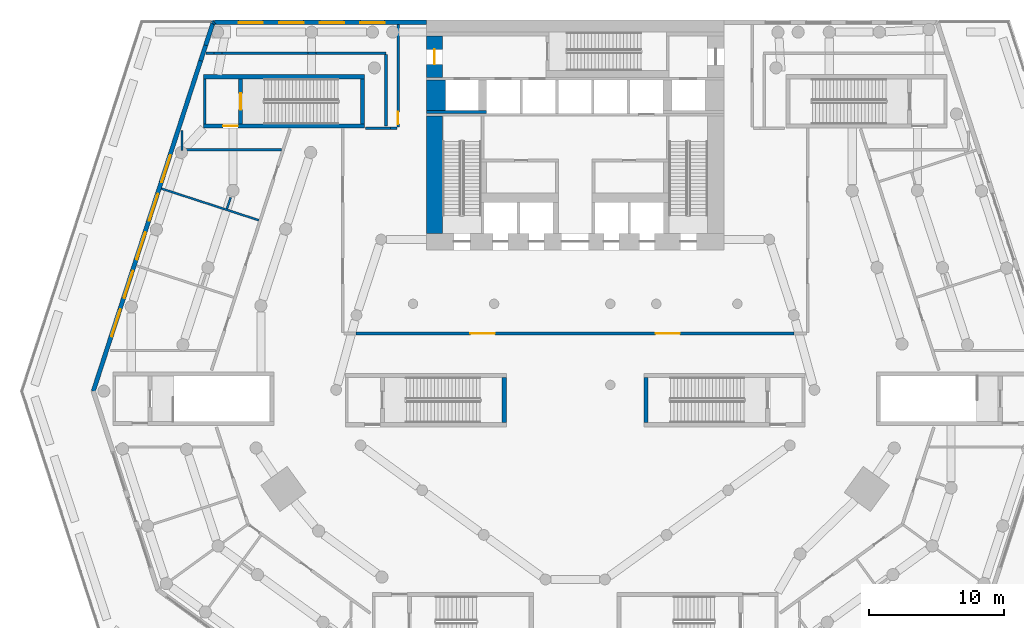
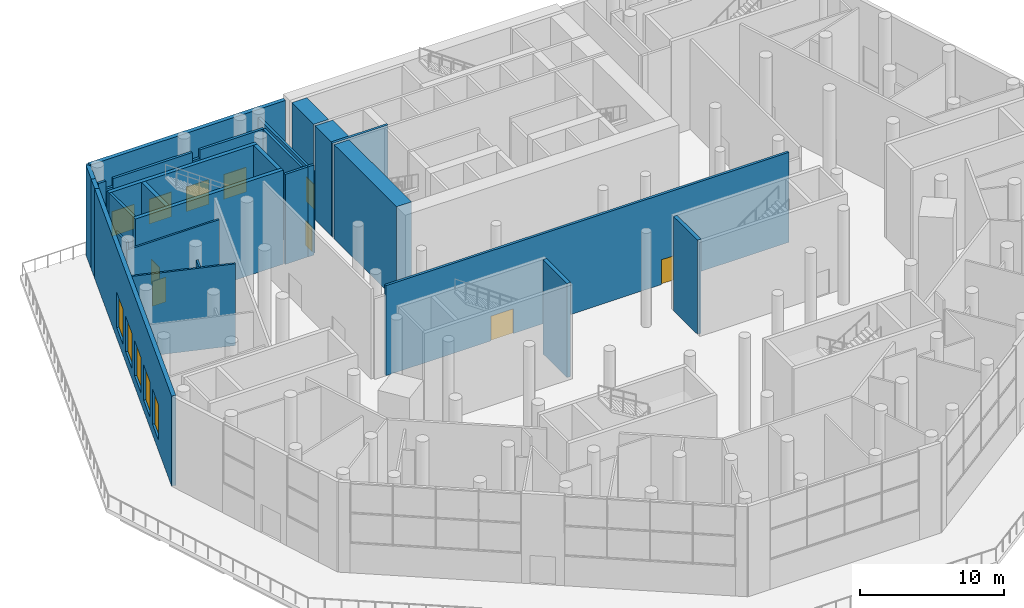
# One storey, part 13 of 23: 30 walls, 9 windows, 6 doors, 15 openings.
"""IFC4 building model written with IfcOpenShell, lengths in metres."""

from ifc_helpers import new_model, si_unit, direction, frame, frame_2d, origin, place, context, subcontext, project, spatial, rectangle, extrude, material, layer, layer_set, type_object, element, fill, save


model = new_model("IFC4")

# Units and contexts
model_context = context("Model", 3, precision=1e-05, world=origin(), true_north=direction((0.0, 1.0)))
body_context = subcontext(model_context, "Body", "Model", "MODEL_VIEW")
ifc_project = project(units=[si_unit("LENGTHUNIT", "METRE"), si_unit("AREAUNIT", "SQUARE_METRE"), si_unit("VOLUMEUNIT", "CUBIC_METRE"), si_unit("PLANEANGLEUNIT", "RADIAN"), si_unit("MASSUNIT", "GRAM", prefix="KILO")], contexts=[model_context])

# Site, building, storey
site_placement = place(None, origin())
site = spatial("IfcSite", under=ifc_project, at=site_placement, CompositionType="ELEMENT")
building_placement = place(site_placement, origin())
building = spatial("IfcBuilding", under=site, at=building_placement, Name="White Candle Pilgrim Tower", CompositionType="ELEMENT")
storey_placement = place(building_placement, frame((0.0, 0.0, 15.0)))
storey = spatial("IfcBuildingStorey", under=building, at=storey_placement, Name="L02", CompositionType="ELEMENT", Elevation=15.0)

# Wall
ifc_material_1 = material(Name="Autoclaved aerated block D500, plastered")
ifc_layer_1 = layer(ifc_material_1, 0.199951171875)
ifc_layer_set_1 = layer_set([ifc_layer_1], Name="Compartment wall 200 mm REI 240")
wall_type_1 = type_object("IfcWallType", Name="Compartment wall 200 mm REI 240", PredefinedType="PARTITIONING", material=ifc_layer_set_1)
wall_1_placement = place(storey_placement, frame((54.4990234375, 80.0, 0.0), z_axis=(0.0, 0.0, 1.0), x_axis=(1.0, 0.0, 0.0)))
element("IfcWall", 1, at=wall_1_placement, inside=storey, type_object=wall_type_1, Name="WL-L02-P005", PredefinedType="PARTITIONING", context=body_context, shape_type="SweptSolid", body=[
    extrude(rectangle(XDim=1.833984375, YDim=0.199951171875, at=frame_2d((0.9169921875, 0.0))), origin(), (0.0, 0.0, 1.0), 7.64990234375),
])

# Wall, openings, doors
wall_2_placement = place(storey_placement, frame((86.199951171875, 64.800048828125, 0.0), z_axis=(0.0, 0.0, 1.0), x_axis=(-1.0, 0.0, 0.0)))
wall_2 = element("IfcWall", 2, at=wall_2_placement, inside=storey, type_object=wall_type_1, Name="WL-L02-P032a", PredefinedType="PARTITIONING", context=body_context, shape_type="SweptSolid", body=[
    extrude(rectangle(XDim=32.39990234375, YDim=0.199951171875, at=frame_2d((16.199951171875, 0.0))), origin(), (0.0, 0.0, 1.0), 7.64990234375),
])
opening_1_placement = place(wall_2_placement, frame((8.449951171875, 0.0, 0.0)))
opening_1 = element("IfcOpeningElement", 3, at=opening_1_placement, cuts=wall_2, Name="Opening L02-120", PredefinedType="OPENING", context=body_context, shape_type="SweptSolid", body=[
    extrude(rectangle(XDim=1.800048828125, YDim=2.10009765625, at=frame_2d((0.89990234375, 1.050048828125))), frame((0.0, 0.10986328125, 0.0), z_axis=(0.0, -1.0, 0.0), x_axis=(1.0, 0.0, 0.0)), (0.0, 0.0, 1.0), 0.219970703125),
])
opening_2_placement = place(wall_2_placement, frame((22.14990234375, 0.0, 0.0)))
opening_2 = element("IfcOpeningElement", 4, at=opening_2_placement, cuts=wall_2, Name="Opening L02-121", PredefinedType="OPENING", context=body_context, shape_type="SweptSolid", body=[
    extrude(rectangle(XDim=1.800048828125, YDim=2.10009765625, at=frame_2d((0.89990234375, 1.050048828125))), frame((0.0, 0.10986328125, 0.0), z_axis=(0.0, -1.0, 0.0), x_axis=(1.0, 0.0, 0.0)), (0.0, 0.0, 1.0), 0.219970703125),
])
ifc_material_2 = material(Name="Steel door leaf", Category="steel")
door_type_1 = type_object("IfcDoorType", Name="Compartment door 1800 x 2100 EI 60", OperationType="NOTDEFINED", PredefinedType="DOOR", material=ifc_material_2)
door_1_placement = place(opening_1_placement, origin())
door_1 = element("IfcDoor", 5, at=door_1_placement, inside=storey, type_object=door_type_1, Name="Door L02-120", OperationType="DOUBLE_DOOR_SINGLE_SWING", OverallHeight=2.10009765625, OverallWidth=1.800048828125, PredefinedType="DOOR", context=body_context, shape_type="SweptSolid", body=[
    extrude(rectangle(XDim=1.800048828125, YDim=2.10009765625, at=frame_2d((0.89990234375, 1.050048828125))), frame((0.0, 0.02490234375, 0.0), z_axis=(0.0, -1.0, 0.0), x_axis=(1.0, 0.0, 0.0)), (0.0, 0.0, 1.0), 0.050048828125),
])
fill(opening_1, door_1)
door_2_placement = place(opening_2_placement, origin())
door_2 = element("IfcDoor", 6, at=door_2_placement, inside=storey, type_object=door_type_1, Name="Door L02-121", OperationType="DOUBLE_DOOR_SINGLE_SWING", OverallHeight=2.10009765625, OverallWidth=1.800048828125, PredefinedType="DOOR", context=body_context, shape_type="SweptSolid", body=[
    extrude(rectangle(XDim=1.800048828125, YDim=2.10009765625, at=frame_2d((0.89990234375, 1.050048828125))), frame((0.0, 0.02490234375, 0.0), z_axis=(0.0, -1.0, 0.0), x_axis=(1.0, 0.0, 0.0)), (0.0, 0.0, 1.0), 0.050048828125),
])
fill(opening_2, door_2)

# Walls
wall_3_placement = place(storey_placement, frame((56.0, 85.550048828125, 0.0), z_axis=(0.0, 0.0, 1.0), x_axis=(-1.0, 0.0, 0.0)))
element("IfcWall", 7, at=wall_3_placement, inside=storey, type_object=wall_type_1, Name="WL-L02-P054", PredefinedType="PARTITIONING", context=body_context, shape_type="SweptSolid", body=[
    extrude(rectangle(XDim=5.171630859375, YDim=0.199951171875, at=frame_2d((2.5859375, 0.0))), origin(), (0.0, 0.0, 1.0), 7.64990234375),
])
wall_4_placement = place(storey_placement, frame((50.828369140625, 85.550048828125, 0.0), z_axis=(0.0, 0.0, 1.0), x_axis=(-1.0, 0.0, 0.0)))
element("IfcWall", 8, at=wall_4_placement, inside=storey, type_object=wall_type_1, Name="WL-L02-P054a", PredefinedType="PARTITIONING", context=body_context, shape_type="SweptSolid", body=[
    extrude(rectangle(XDim=0.5966796875, YDim=0.199951171875, at=frame_2d((0.29833984375, 0.0))), origin(), (0.0, 0.0, 1.0), 6.949951171875),
])
wall_5_placement = place(storey_placement, frame((50.231689453125, 85.550048828125, 0.0), z_axis=(0.0, 0.0, 1.0), x_axis=(-1.0, 0.0, 0.0)))
element("IfcWall", 9, at=wall_5_placement, inside=storey, type_object=wall_type_1, Name="WL-L02-P054b", PredefinedType="PARTITIONING", context=body_context, shape_type="SweptSolid", body=[
    extrude(rectangle(XDim=6.364990234375, YDim=0.199951171875, at=frame_2d((3.1826171875, 0.0))), origin(), (0.0, 0.0, 1.0), 7.64990234375),
])
wall_6_placement = place(storey_placement, frame((43.86669921875, 85.550048828125, 0.0), z_axis=(0.0, 0.0, 1.0), x_axis=(-1.0, 0.0, 0.0)))
element("IfcWall", 10, at=wall_6_placement, inside=storey, type_object=wall_type_1, Name="WL-L02-P054c", PredefinedType="PARTITIONING", context=body_context, shape_type="SweptSolid", body=[
    extrude(rectangle(XDim=0.5966796875, YDim=0.199951171875, at=frame_2d((0.29833984375, 0.0))), origin(), (0.0, 0.0, 1.0), 6.949951171875),
])
wall_7_placement = place(storey_placement, frame((43.27001953125, 85.550048828125, 0.0), z_axis=(0.0, 0.0, 1.0), x_axis=(-1.0, 0.0, 0.0)))
element("IfcWall", 11, at=wall_7_placement, inside=storey, type_object=wall_type_1, Name="WL-L02-P054d", PredefinedType="PARTITIONING", context=body_context, shape_type="SweptSolid", body=[
    extrude(rectangle(XDim=0.596923828125, YDim=0.199951171875, at=frame_2d((0.29833984375, 0.0))), origin(), (0.0, 0.0, 1.0), 7.64990234375),
])
wall_8_placement = place(storey_placement, frame((56.0, 80.159912109375, 0.0), z_axis=(0.0, 0.0, 1.0), x_axis=(0.0, 1.0, 0.0)))
element("IfcWall", 12, at=wall_8_placement, inside=storey, type_object=wall_type_1, Name="WL-L02-P055", PredefinedType="PARTITIONING", context=body_context, shape_type="SweptSolid", body=[
    extrude(rectangle(XDim=5.2900390625, YDim=0.199951171875, at=frame_2d((2.64501953125, 0.0))), origin(), (0.0, 0.0, 1.0), 7.64990234375),
])

# Wall, opening, door
ifc_material_3 = material(Name="Concrete C70/85", Category="concrete")
ifc_layer_2 = layer(ifc_material_3, 1.199951171875)
ifc_layer_set_2 = layer_set([ifc_layer_2], Name="Core wall 1200 mm Concrete C70/85")
wall_type_2 = type_object("IfcWallType", Name="Core wall 1200 mm Concrete C70/85", PredefinedType="SHEAR", material=ifc_layer_set_2)
wall_9_placement = place(storey_placement, frame((59.60009765625, 83.75, 0.0), z_axis=(0.0, 0.0, 1.0), x_axis=(0.0, 1.0, 0.0)))
wall_9 = element("IfcWall", 13, at=wall_9_placement, inside=storey, type_object=wall_type_2, Name="WL-L02-C72", PredefinedType="SHEAR", context=body_context, shape_type="SweptSolid", body=[
    extrude(rectangle(XDim=3.050048828125, YDim=1.199951171875, at=frame_2d((1.52490234375, 0.0))), origin(), (0.0, 0.0, 1.0), 8.0),
])
opening_3_placement = place(wall_9_placement, frame((0.97509765625, 0.0, 0.0)))
opening_3 = element("IfcOpeningElement", 14, at=opening_3_placement, cuts=wall_9, Name="Opening L02-005", PredefinedType="OPENING", context=body_context, shape_type="SweptSolid", body=[
    extrude(rectangle(XDim=1.10009765625, YDim=2.10009765625, at=frame_2d((0.550048828125, 1.050048828125))), frame((0.0, 0.60986328125, 0.0), z_axis=(0.0, -1.0, 0.0), x_axis=(1.0, 0.0, 0.0)), (0.0, 0.0, 1.0), 1.219970703125),
])
door_type_2 = type_object("IfcDoorType", Name="Fire door 1100 x 2100 EI 60", OperationType="NOTDEFINED", PredefinedType="DOOR", material=ifc_material_2)
door_3_placement = place(opening_3_placement, origin())
door_3 = element("IfcDoor", 15, at=door_3_placement, inside=storey, type_object=door_type_2, Name="Door L02-005", OperationType="SINGLE_SWING_LEFT", OverallHeight=2.10009765625, OverallWidth=1.10009765625, PredefinedType="DOOR", context=body_context, shape_type="SweptSolid", body=[
    extrude(rectangle(XDim=1.10009765625, YDim=2.10009765625, at=frame_2d((0.550048828125, 1.050048828125))), frame((0.0, 0.02490234375, 0.0), z_axis=(0.0, -1.0, 0.0), x_axis=(1.0, 0.0, 0.0)), (0.0, 0.0, 1.0), 0.050048828125),
])
fill(opening_3, door_3)

# Walls
ifc_layer_3 = layer(ifc_material_3, 1.39990234375)
ifc_layer_set_3 = layer_set([ifc_layer_3], Name="Core wall 1400 mm Concrete C70/85")
wall_type_3 = type_object("IfcWallType", Name="Core wall 1400 mm Concrete C70/85", PredefinedType="SHEAR", material=ifc_layer_set_3)
wall_10_placement = place(storey_placement, frame((59.699951171875, 81.300048828125, 0.0), z_axis=(0.0, 0.0, 1.0), x_axis=(0.0, 1.0, 0.0)))
element("IfcWall", 16, at=wall_10_placement, inside=storey, type_object=wall_type_3, Name="WL-L02-C65", PredefinedType="SHEAR", context=body_context, shape_type="SweptSolid", body=[
    extrude(rectangle(XDim=2.25, YDim=1.39990234375, at=frame_2d((1.125, 0.0))), origin(), (0.0, 0.0, 1.0), 8.0),
])
ifc_layer_4 = layer(ifc_material_3, 0.199951171875)
ifc_layer_set_4 = layer_set([ifc_layer_4], Name="Core wall 200 mm Concrete C70/85")
wall_type_4 = type_object("IfcWallType", Name="Core wall 200 mm Concrete C70/85", PredefinedType="SHEAR", material=ifc_layer_set_4)
wall_11_placement = place(storey_placement, frame((42.60009765625, 80.300048828125, 0.0), z_axis=(0.0, 0.0, 1.0), x_axis=(0.0, 1.0, 0.0)))
element("IfcWall", 17, at=wall_11_placement, inside=storey, type_object=wall_type_4, Name="WL-L02-C52", PredefinedType="SHEAR", context=body_context, shape_type="SweptSolid", body=[
    extrude(rectangle(XDim=3.349853515625, YDim=0.199951171875, at=frame_2d((1.6748046875, 0.0))), origin(), (0.0, 0.0, 1.0), 8.0),
])
wall_12_placement = place(storey_placement, frame((59.0, 81.199951171875, 0.0), z_axis=(0.0, 0.0, 1.0), x_axis=(1.0, 0.0, 0.0)))
element("IfcWall", 18, at=wall_12_placement, inside=storey, type_object=wall_type_4, Name="WL-L02-C59", PredefinedType="SHEAR", context=body_context, shape_type="SweptSolid", body=[
    extrude(rectangle(XDim=4.449951171875, YDim=0.199951171875, at=frame_2d((2.22509765625, 0.0))), origin(), (0.0, 0.0, 1.0), 8.0),
])
ifc_material_4 = material(Name="Gypsum board on steel studs", Category="steel")
ifc_layer_5 = layer(ifc_material_4, 0.199951171875)
ifc_layer_set_5 = layer_set([ifc_layer_5], Name="Corridor wall 200 mm EI 45")
wall_type_5 = type_object("IfcWallType", Name="Corridor wall 200 mm EI 45", PredefinedType="PARTITIONING", material=ifc_layer_set_5)
wall_13_placement = place(storey_placement, frame((56.3330078125, 80.0, 0.0), z_axis=(0.0, 0.0, 1.0), x_axis=(1.0, 0.0, 0.0)))
element("IfcWall", 19, at=wall_13_placement, inside=storey, type_object=wall_type_5, Name="WL-L02-P066", PredefinedType="PARTITIONING", context=body_context, shape_type="SweptSolid", body=[
    extrude(rectangle(XDim=0.467041015625, YDim=0.199951171875, at=frame_2d((0.2333984375, 0.0))), origin(), (0.0, 0.0, 1.0), 7.64990234375),
])

# Wall, opening, door
wall_14_placement = place(storey_placement, frame((56.89990234375, 80.10009765625, 0.0), z_axis=(0.0, 0.0, 1.0), x_axis=(0.0, 1.0, 0.0)))
wall_14 = element("IfcWall", 20, at=wall_14_placement, inside=storey, type_object=wall_type_5, Name="WL-L02-P006", PredefinedType="PARTITIONING", context=body_context, shape_type="SweptSolid", body=[
    extrude(rectangle(XDim=7.579833984375, YDim=0.199951171875, at=frame_2d((3.7900390625, 0.0))), origin(), (0.0, 0.0, 1.0), 6.949951171875),
])
opening_4_placement = place(wall_14_placement, frame((0.199951171875, 0.0, 0.0)))
opening_4 = element("IfcOpeningElement", 21, at=opening_4_placement, cuts=wall_14, Name="Opening L02-125", PredefinedType="OPENING", context=body_context, shape_type="SweptSolid", body=[
    extrude(rectangle(XDim=0.89990234375, YDim=2.10009765625, at=frame_2d((0.449951171875, 1.050048828125))), frame((0.0, 0.10986328125, 0.0), z_axis=(0.0, -1.0, 0.0), x_axis=(1.0, 0.0, 0.0)), (0.0, 0.0, 1.0), 0.219970703125),
])
door_type_3 = type_object("IfcDoorType", Name="Fire door 900 x 2100 EI 30", OperationType="NOTDEFINED", PredefinedType="DOOR", material=ifc_material_2)
door_4_placement = place(opening_4_placement, origin())
door_4 = element("IfcDoor", 22, at=door_4_placement, inside=storey, type_object=door_type_3, Name="Door L02-125", OperationType="SINGLE_SWING_LEFT", OverallHeight=2.10009765625, OverallWidth=0.89990234375, PredefinedType="DOOR", context=body_context, shape_type="SweptSolid", body=[
    extrude(rectangle(XDim=0.89990234375, YDim=2.10009765625, at=frame_2d((0.449951171875, 1.050048828125))), frame((0.0, 0.02490234375, 0.0), z_axis=(0.0, -1.0, 0.0), x_axis=(1.0, 0.0, 0.0)), (0.0, 0.0, 1.0), 0.050048828125),
])
fill(opening_4, door_4)

# Wall, openings, windows
ifc_material_5 = material(Name="Precast concrete C40/50", Category="concrete")
ifc_layer_6 = layer(ifc_material_5, 0.320068359375)
ifc_layer_set_6 = layer_set([ifc_layer_6], Name="Facade wall EW3 precast concrete C40/50 and stone-faced podium wall")
wall_type_6 = type_object("IfcWallType", Name="Facade wall EW3 precast concrete C40/50 and stone-faced podium wall", PredefinedType="SOLIDWALL", material=ifc_layer_set_6)
wall_15_placement = place(storey_placement, frame((59.0, 87.840087890625, 0.0), z_axis=(0.0, 0.0, 1.0), x_axis=(-1.0, 0.0, 0.0)))
wall_15 = element("IfcWall", 23, at=wall_15_placement, inside=storey, type_object=wall_type_6, Name="Facade wall L02 N", PredefinedType="SOLIDWALL", context=body_context, shape_type="SweptSolid", body=[
    extrude(rectangle(XDim=15.69677734375, YDim=0.320068359375, at=frame_2d((7.848388671875, 0.0))), origin(), (0.0, 0.0, 1.0), 7.64990234375),
])
opening_5_placement = place(wall_15_placement, frame((3.10009765625, 0.0, 0.89990234375)))
opening_5 = element("IfcOpeningElement", 24, at=opening_5_placement, cuts=wall_15, Name="Opening W8", PredefinedType="OPENING", context=body_context, shape_type="SweptSolid", body=[
    extrude(rectangle(XDim=1.800048828125, YDim=2.10009765625, at=frame_2d((0.89990234375, 1.050048828125))), frame((0.0, 0.169921875, 0.0), z_axis=(0.0, -1.0, 0.0), x_axis=(1.0, 0.0, 0.0)), (0.0, 0.0, 1.0), 0.340087890625),
])
opening_6_placement = place(wall_15_placement, frame((6.10009765625, 0.0, 0.89990234375)))
opening_6 = element("IfcOpeningElement", 25, at=opening_6_placement, cuts=wall_15, Name="Opening W8", PredefinedType="OPENING", context=body_context, shape_type="SweptSolid", body=[
    extrude(rectangle(XDim=1.800048828125, YDim=2.10009765625, at=frame_2d((0.89990234375, 1.050048828125))), frame((0.0, 0.169921875, 0.0), z_axis=(0.0, -1.0, 0.0), x_axis=(1.0, 0.0, 0.0)), (0.0, 0.0, 1.0), 0.340087890625),
])
opening_7_placement = place(wall_15_placement, frame((9.10009765625, 0.0, 0.89990234375)))
opening_7 = element("IfcOpeningElement", 26, at=opening_7_placement, cuts=wall_15, Name="Opening W8", PredefinedType="OPENING", context=body_context, shape_type="SweptSolid", body=[
    extrude(rectangle(XDim=1.800048828125, YDim=2.10009765625, at=frame_2d((0.89990234375, 1.050048828125))), frame((0.0, 0.169921875, 0.0), z_axis=(0.0, -1.0, 0.0), x_axis=(1.0, 0.0, 0.0)), (0.0, 0.0, 1.0), 0.340087890625),
])
opening_8_placement = place(wall_15_placement, frame((12.10009765625, 0.0, 0.89990234375)))
opening_8 = element("IfcOpeningElement", 27, at=opening_8_placement, cuts=wall_15, Name="Opening W8", PredefinedType="OPENING", context=body_context, shape_type="SweptSolid", body=[
    extrude(rectangle(XDim=1.800048828125, YDim=2.10009765625, at=frame_2d((0.89990234375, 1.050048828125))), frame((0.0, 0.169921875, 0.0), z_axis=(0.0, -1.0, 0.0), x_axis=(1.0, 0.0, 0.0)), (0.0, 0.0, 1.0), 0.340087890625),
])
ifc_material_6 = material(Name="Timber frame with triple glazing", Category="wood")
window_type_1 = type_object("IfcWindowType", Name="Window W8 1800x2100 timber frame triple glazing", PartitioningType="SINGLE_PANEL", PredefinedType="WINDOW", material=ifc_material_6)
window_1_placement = place(opening_5_placement, origin())
window_1 = element("IfcWindow", 28, at=window_1_placement, inside=storey, type_object=window_type_1, Name="Window W8 L02 N 14", OverallHeight=2.10009765625, OverallWidth=1.800048828125, PartitioningType="SINGLE_PANEL", PredefinedType="WINDOW", context=body_context, shape_type="SweptSolid", body=[
    extrude(rectangle(XDim=1.800048828125, YDim=2.10009765625, at=frame_2d((0.89990234375, 1.050048828125))), frame((0.0, 0.070068359375, 0.0), z_axis=(0.0, -1.0, 0.0), x_axis=(1.0, 0.0, 0.0)), (0.0, 0.0, 1.0), 0.06005859375),
])
fill(opening_5, window_1)
window_2_placement = place(opening_6_placement, origin())
window_2 = element("IfcWindow", 29, at=window_2_placement, inside=storey, type_object=window_type_1, Name="Window W8 L02 N 15", OverallHeight=2.10009765625, OverallWidth=1.800048828125, PartitioningType="SINGLE_PANEL", PredefinedType="WINDOW", context=body_context, shape_type="SweptSolid", body=[
    extrude(rectangle(XDim=1.800048828125, YDim=2.10009765625, at=frame_2d((0.89990234375, 1.050048828125))), frame((0.0, 0.070068359375, 0.0), z_axis=(0.0, -1.0, 0.0), x_axis=(1.0, 0.0, 0.0)), (0.0, 0.0, 1.0), 0.06005859375),
])
fill(opening_6, window_2)
window_3_placement = place(opening_7_placement, origin())
window_3 = element("IfcWindow", 30, at=window_3_placement, inside=storey, type_object=window_type_1, Name="Window W8 L02 N 16", OverallHeight=2.10009765625, OverallWidth=1.800048828125, PartitioningType="SINGLE_PANEL", PredefinedType="WINDOW", context=body_context, shape_type="SweptSolid", body=[
    extrude(rectangle(XDim=1.800048828125, YDim=2.10009765625, at=frame_2d((0.89990234375, 1.050048828125))), frame((0.0, 0.070068359375, 0.0), z_axis=(0.0, -1.0, 0.0), x_axis=(1.0, 0.0, 0.0)), (0.0, 0.0, 1.0), 0.06005859375),
])
fill(opening_7, window_3)
window_4_placement = place(opening_8_placement, origin())
window_4 = element("IfcWindow", 31, at=window_4_placement, inside=storey, type_object=window_type_1, Name="Window W8 L02 N 17", OverallHeight=2.10009765625, OverallWidth=1.800048828125, PartitioningType="SINGLE_PANEL", PredefinedType="WINDOW", context=body_context, shape_type="SweptSolid", body=[
    extrude(rectangle(XDim=1.800048828125, YDim=2.10009765625, at=frame_2d((0.89990234375, 1.050048828125))), frame((0.0, 0.070068359375, 0.0), z_axis=(0.0, -1.0, 0.0), x_axis=(1.0, 0.0, 0.0)), (0.0, 0.0, 1.0), 0.06005859375),
])
fill(opening_8, window_4)

# Walls
wall_16_placement = place(storey_placement, frame((43.30322265625, 87.840087890625, 0.0), z_axis=(0.0, 0.0, 1.0), x_axis=(-0.808436541228, -0.588583349074, 0.0)))
element("IfcWall", 32, at=wall_16_placement, inside=storey, type_object=wall_type_6, Name="Facade wall L02 NW chamfer", PredefinedType="SOLIDWALL", context=body_context, shape_type="SweptSolid", body=[
    extrude(rectangle(XDim=0.14111328125, YDim=0.320068359375, at=frame_2d((0.070556640625, 0.0))), origin(), (0.0, 0.0, 1.0), 7.64990234375),
])
wall_17_placement = place(storey_placement, frame((43.189208984375, 87.757080078125, 0.0), z_axis=(0.0, 0.0, 1.0), x_axis=(-0.309044227737, -0.951047667208, 0.0)))
element("IfcWall", 33, at=wall_17_placement, inside=storey, type_object=wall_type_6, Name="Facade wall L02 WNW", PredefinedType="SOLIDWALL", context=body_context, shape_type="SweptSolid", body=[
    extrude(rectangle(XDim=1.715087890625, YDim=0.320068359375, at=frame_2d((0.857421875, 0.0))), origin(), (0.0, 0.0, 1.0), 7.64990234375),
])

# Wall, openings, windows
wall_18_placement = place(storey_placement, frame((42.288330078125, 84.984619140625, 0.0), z_axis=(0.0, 0.0, 1.0), x_axis=(-0.309017988697, -0.95105619322, 0.0)))
wall_18 = element("IfcWall", 34, at=wall_18_placement, inside=storey, type_object=wall_type_6, Name="Facade wall L02 WNW", PredefinedType="SOLIDWALL", context=body_context, shape_type="SweptSolid", body=[
    extrude(rectangle(XDim=25.70361328125, YDim=0.320068359375, at=frame_2d((12.851806640625, 0.0))), origin(), (0.0, 0.0, 1.0), 7.64990234375),
])
opening_9_placement = place(wall_18_placement, frame((7.34423828125, 0.0, 0.89990234375)))
opening_9 = element("IfcOpeningElement", 35, at=opening_9_placement, cuts=wall_18, Name="Opening W7", PredefinedType="OPENING", context=body_context, shape_type="SweptSolid", body=[
    extrude(rectangle(XDim=2.10009765625, YDim=3.0, at=frame_2d((1.050048828125, 1.5))), frame((0.0, 0.169921875, 0.0), z_axis=(0.0, -1.0, 0.0), x_axis=(1.0, 0.0, 0.0)), (0.0, 0.0, 1.0), 0.340087890625),
])
opening_10_placement = place(wall_18_placement, frame((10.34423828125, 0.0, 0.89990234375)))
opening_10 = element("IfcOpeningElement", 36, at=opening_10_placement, cuts=wall_18, Name="Opening W7", PredefinedType="OPENING", context=body_context, shape_type="SweptSolid", body=[
    extrude(rectangle(XDim=2.10009765625, YDim=3.0, at=frame_2d((1.050048828125, 1.5))), frame((0.0, 0.169921875, 0.0), z_axis=(0.0, -1.0, 0.0), x_axis=(1.0, 0.0, 0.0)), (0.0, 0.0, 1.0), 0.340087890625),
])
opening_11_placement = place(wall_18_placement, frame((13.34423828125, 0.0, 0.89990234375)))
opening_11 = element("IfcOpeningElement", 37, at=opening_11_placement, cuts=wall_18, Name="Opening W7", PredefinedType="OPENING", context=body_context, shape_type="SweptSolid", body=[
    extrude(rectangle(XDim=2.10009765625, YDim=3.0, at=frame_2d((1.050048828125, 1.5))), frame((0.0, 0.169921875, 0.0), z_axis=(0.0, -1.0, 0.0), x_axis=(1.0, 0.0, 0.0)), (0.0, 0.0, 1.0), 0.340087890625),
])
opening_12_placement = place(wall_18_placement, frame((16.34423828125, 0.0, 0.89990234375)))
opening_12 = element("IfcOpeningElement", 38, at=opening_12_placement, cuts=wall_18, Name="Opening W7", PredefinedType="OPENING", context=body_context, shape_type="SweptSolid", body=[
    extrude(rectangle(XDim=2.10009765625, YDim=3.0, at=frame_2d((1.050048828125, 1.5))), frame((0.0, 0.169921875, 0.0), z_axis=(0.0, -1.0, 0.0), x_axis=(1.0, 0.0, 0.0)), (0.0, 0.0, 1.0), 0.340087890625),
])
opening_13_placement = place(wall_18_placement, frame((19.34423828125, 0.0, 0.89990234375)))
opening_13 = element("IfcOpeningElement", 39, at=opening_13_placement, cuts=wall_18, Name="Opening W7", PredefinedType="OPENING", context=body_context, shape_type="SweptSolid", body=[
    extrude(rectangle(XDim=2.10009765625, YDim=3.0, at=frame_2d((1.050048828125, 1.5))), frame((0.0, 0.169921875, 0.0), z_axis=(0.0, -1.0, 0.0), x_axis=(1.0, 0.0, 0.0)), (0.0, 0.0, 1.0), 0.340087890625),
])
window_type_2 = type_object("IfcWindowType", Name="Window W7 2100x3000 timber frame triple glazing", PartitioningType="SINGLE_PANEL", PredefinedType="WINDOW", material=ifc_material_6)
window_5_placement = place(opening_9_placement, origin())
window_5 = element("IfcWindow", 40, at=window_5_placement, inside=storey, type_object=window_type_2, Name="Window W7 L02 WNW 4", OverallHeight=3.0, OverallWidth=2.10009765625, PartitioningType="SINGLE_PANEL", PredefinedType="WINDOW", context=body_context, shape_type="SweptSolid", body=[
    extrude(rectangle(XDim=2.10009765625, YDim=3.0, at=frame_2d((1.050048828125, 1.5))), frame((0.0, 0.070068359375, 0.0), z_axis=(0.0, -1.0, 0.0), x_axis=(1.0, 0.0, 0.0)), (0.0, 0.0, 1.0), 0.06005859375),
])
fill(opening_9, window_5)
window_6_placement = place(opening_10_placement, origin())
window_6 = element("IfcWindow", 41, at=window_6_placement, inside=storey, type_object=window_type_2, Name="Window W7 L02 WNW 5", OverallHeight=3.0, OverallWidth=2.10009765625, PartitioningType="SINGLE_PANEL", PredefinedType="WINDOW", context=body_context, shape_type="SweptSolid", body=[
    extrude(rectangle(XDim=2.10009765625, YDim=3.0, at=frame_2d((1.050048828125, 1.5))), frame((0.0, 0.070068359375, 0.0), z_axis=(0.0, -1.0, 0.0), x_axis=(1.0, 0.0, 0.0)), (0.0, 0.0, 1.0), 0.06005859375),
])
fill(opening_10, window_6)
window_7_placement = place(opening_11_placement, origin())
window_7 = element("IfcWindow", 42, at=window_7_placement, inside=storey, type_object=window_type_2, Name="Window W7 L02 WNW 6", OverallHeight=3.0, OverallWidth=2.10009765625, PartitioningType="SINGLE_PANEL", PredefinedType="WINDOW", context=body_context, shape_type="SweptSolid", body=[
    extrude(rectangle(XDim=2.10009765625, YDim=3.0, at=frame_2d((1.050048828125, 1.5))), frame((0.0, 0.070068359375, 0.0), z_axis=(0.0, -1.0, 0.0), x_axis=(1.0, 0.0, 0.0)), (0.0, 0.0, 1.0), 0.06005859375),
])
fill(opening_11, window_7)
window_8_placement = place(opening_12_placement, origin())
window_8 = element("IfcWindow", 43, at=window_8_placement, inside=storey, type_object=window_type_2, Name="Window W7 L02 WNW 7", OverallHeight=3.0, OverallWidth=2.10009765625, PartitioningType="SINGLE_PANEL", PredefinedType="WINDOW", context=body_context, shape_type="SweptSolid", body=[
    extrude(rectangle(XDim=2.10009765625, YDim=3.0, at=frame_2d((1.050048828125, 1.5))), frame((0.0, 0.070068359375, 0.0), z_axis=(0.0, -1.0, 0.0), x_axis=(1.0, 0.0, 0.0)), (0.0, 0.0, 1.0), 0.06005859375),
])
fill(opening_12, window_8)
window_9_placement = place(opening_13_placement, origin())
window_9 = element("IfcWindow", 44, at=window_9_placement, inside=storey, type_object=window_type_2, Name="Window W7 L02 WNW 8", OverallHeight=3.0, OverallWidth=2.10009765625, PartitioningType="SINGLE_PANEL", PredefinedType="WINDOW", context=body_context, shape_type="SweptSolid", body=[
    extrude(rectangle(XDim=2.10009765625, YDim=3.0, at=frame_2d((1.050048828125, 1.5))), frame((0.0, 0.070068359375, 0.0), z_axis=(0.0, -1.0, 0.0), x_axis=(1.0, 0.0, 0.0)), (0.0, 0.0, 1.0), 0.06005859375),
])
fill(opening_13, window_9)

# Walls
ifc_layer_7 = layer(ifc_material_5, 0.320068359375)
ifc_layer_set_7 = layer_set([ifc_layer_7], Name="Facade wall EW9 precast concrete C40/50 compartment junction wall EI 120")
wall_type_7 = type_object("IfcWallType", Name="Facade wall EW9 precast concrete C40/50 compartment junction wall EI 120", PredefinedType="SOLIDWALL", material=ifc_layer_set_7)
wall_19_placement = place(storey_placement, frame((42.6591796875, 86.1259765625, 0.0), z_axis=(0.0, 0.0, 1.0), x_axis=(-0.309017071679, -0.951056491178, 0.0)))
element("IfcWall", 45, at=wall_19_placement, inside=storey, type_object=wall_type_7, Name="Facade wall L02 WNW", PredefinedType="SOLIDWALL", context=body_context, shape_type="SweptSolid", body=[
    extrude(rectangle(XDim=1.2001953125, YDim=0.320068359375, at=frame_2d((0.60009765625, 0.0))), origin(), (0.0, 0.0, 1.0), 7.64990234375),
])
ifc_layer_8 = layer(ifc_material_4, 0.14990234375)
ifc_layer_set_8 = layer_set([ifc_layer_8], Name="Partition 150 mm EI 60")
wall_type_8 = type_object("IfcWallType", Name="Partition 150 mm EI 60", PredefinedType="PARTITIONING", material=ifc_layer_set_8)
wall_20_placement = place(storey_placement, frame((39.383056640625, 75.525390625, 0.0), z_axis=(0.0, 0.0, 1.0), x_axis=(0.951049215908, -0.309039461753, 0.0)))
element("IfcWall", 46, at=wall_20_placement, inside=storey, type_object=wall_type_8, Name="WL-L02-P018", PredefinedType="PARTITIONING", context=body_context, shape_type="SweptSolid", body=[
    extrude(rectangle(XDim=7.580078125, YDim=0.14990234375, at=frame_2d((3.7900390625, 0.0))), origin(), (0.0, 0.0, 1.0), 6.949951171875),
])
wall_21_placement = place(storey_placement, frame((44.5068359375, 74.869873046875, 0.0), z_axis=(0.0, 0.0, 1.0), x_axis=(-0.308936377944, -0.951082706384, 0.0)))
element("IfcWall", 47, at=wall_21_placement, inside=storey, type_object=wall_type_8, Name="WL-L02-P044", PredefinedType="PARTITIONING", context=body_context, shape_type="SweptSolid", body=[
    extrude(rectangle(XDim=0.885009765625, YDim=0.14990234375, at=frame_2d((0.4423828125, 0.0))), origin(), (0.0, 0.0, 1.0), 6.949951171875),
])
wall_22_placement = place(storey_placement, frame((40.89990234375, 79.83349609375, 0.0), z_axis=(0.0, 0.0, 1.0), x_axis=(0.0, -1.0, 0.0)))
element("IfcWall", 48, at=wall_22_placement, inside=storey, type_object=wall_type_8, Name="WL-L02-P052", PredefinedType="PARTITIONING", context=body_context, shape_type="SweptSolid", body=[
    extrude(rectangle(XDim=1.493408203125, YDim=0.14990234375, at=frame_2d((0.74658203125, 0.0))), origin(), (0.0, 0.0, 1.0), 7.64990234375),
])
wall_23_placement = place(storey_placement, frame((40.840087890625, 78.39990234375, 0.0), z_axis=(0.0, 0.0, 1.0), x_axis=(1.0, 0.0, 0.0)))
element("IfcWall", 49, at=wall_23_placement, inside=storey, type_object=wall_type_8, Name="WL-L02-P053", PredefinedType="PARTITIONING", context=body_context, shape_type="SweptSolid", body=[
    extrude(rectangle(XDim=7.444091796875, YDim=0.14990234375, at=frame_2d((3.72216796875, 0.0))), origin(), (0.0, 0.0, 1.0), 6.949951171875),
])
ifc_layer_9 = layer(ifc_material_3, 1.199951171875)
ifc_layer_set_9 = layer_set([ifc_layer_9], Name="Stair shaft wall 1200 mm Concrete C70/85")
wall_type_9 = type_object("IfcWallType", Name="Stair shaft wall 1200 mm Concrete C70/85", PredefinedType="SHEAR", material=ifc_layer_set_9)
wall_24_placement = place(storey_placement, frame((59.60009765625, 72.199951171875, 0.0), z_axis=(0.0, 0.0, 1.0), x_axis=(0.0, 1.0, 0.0)))
element("IfcWall", 50, at=wall_24_placement, inside=storey, type_object=wall_type_9, Name="WL-L02-C32", PredefinedType="SHEAR", context=body_context, shape_type="SweptSolid", body=[
    extrude(rectangle(XDim=8.699951171875, YDim=1.199951171875, at=frame_2d((4.35009765625, 0.0))), origin(), (0.0, 0.0, 1.0), 8.0),
])
ifc_layer_10 = layer(ifc_material_3, 0.300048828125)
ifc_layer_set_10 = layer_set([ifc_layer_10], Name="Stair shaft wall 300 mm Concrete C70/85")
wall_type_10 = type_object("IfcWallType", Name="Stair shaft wall 300 mm Concrete C70/85", PredefinedType="SHEAR", material=ifc_layer_set_10)
for number, where, z_axis, x_axis, name in (
    (51, (64.75, 58.199951171875, 0.0), (0.0, 0.0, 1.0), (0.0, 1.0, 0.0), "WL-L02-C17"),
    (52, (75.25, 58.199951171875, 0.0), (0.0, 0.0, 1.0), (0.0, 1.0, 0.0), "WL-L02-C18"),
):
    element("IfcWall", number, at=place(storey_placement, frame(where, z_axis=z_axis, x_axis=x_axis)), inside=storey, type_object=wall_type_10, Name=name, PredefinedType="SHEAR", context=body_context, shape_type="SweptSolid", body=[
        extrude(rectangle(XDim=3.35009765625, YDim=0.300048828125, at=frame_2d((1.675048828125, 0.0))), origin(), (0.0, 0.0, 1.0), 8.0),
    ])

# Wall, opening, door
wall_25_placement = place(storey_placement, frame((42.5, 80.14990234375, 0.0), z_axis=(0.0, 0.0, 1.0), x_axis=(1.0, 0.0, 0.0)))
wall_25 = element("IfcWall", 53, at=wall_25_placement, inside=storey, type_object=wall_type_10, Name="WL-L02-C50", PredefinedType="SHEAR", context=body_context, shape_type="SweptSolid", body=[
    extrude(rectangle(XDim=11.89990234375, YDim=0.300048828125, at=frame_2d((5.949951171875, 0.0))), origin(), (0.0, 0.0, 1.0), 8.0),
])
opening_14_placement = place(wall_25_placement, frame((1.449951171875, 0.0, 0.0)))
opening_14 = element("IfcOpeningElement", 54, at=opening_14_placement, cuts=wall_25, Name="Opening L02-019", PredefinedType="OPENING", context=body_context, shape_type="SweptSolid", body=[
    extrude(rectangle(XDim=1.10009765625, YDim=2.10009765625, at=frame_2d((0.550048828125, 1.050048828125))), frame((0.0, 0.159912109375, 0.0), z_axis=(0.0, -1.0, 0.0), x_axis=(1.0, 0.0, 0.0)), (0.0, 0.0, 1.0), 0.320068359375),
])
door_5_placement = place(opening_14_placement, origin())
door_5 = element("IfcDoor", 55, at=door_5_placement, inside=storey, type_object=door_type_2, Name="Door L02-019", OperationType="SINGLE_SWING_LEFT", OverallHeight=2.10009765625, OverallWidth=1.10009765625, PredefinedType="DOOR", context=body_context, shape_type="SweptSolid", body=[
    extrude(rectangle(XDim=1.10009765625, YDim=2.10009765625, at=frame_2d((0.550048828125, 1.050048828125))), frame((0.0, 0.02490234375, 0.0), z_axis=(0.0, -1.0, 0.0), x_axis=(1.0, 0.0, 0.0)), (0.0, 0.0, 1.0), 0.050048828125),
])
fill(opening_14, door_5)

wall_26_placement = place(storey_placement, frame((45.25, 80.300048828125, 0.0), z_axis=(0.0, 0.0, 1.0), x_axis=(0.0, 1.0, 0.0)))
wall_26 = element("IfcWall", 56, at=wall_26_placement, inside=storey, type_object=wall_type_10, Name="WL-L02-C53", PredefinedType="SHEAR", context=body_context, shape_type="SweptSolid", body=[
    extrude(rectangle(XDim=3.349853515625, YDim=0.300048828125, at=frame_2d((1.6748046875, 0.0))), origin(), (0.0, 0.0, 1.0), 8.0),
])
opening_15_placement = place(wall_26_placement, frame((1.074951171875, 0.0, 0.0)))
opening_15 = element("IfcOpeningElement", 57, at=opening_15_placement, cuts=wall_26, Name="Opening L02-020", PredefinedType="OPENING", context=body_context, shape_type="SweptSolid", body=[
    extrude(rectangle(XDim=1.199951171875, YDim=2.10009765625, at=frame_2d((0.60009765625, 1.050048828125))), frame((0.0, 0.159912109375, 0.0), z_axis=(0.0, -1.0, 0.0), x_axis=(1.0, 0.0, 0.0)), (0.0, 0.0, 1.0), 0.320068359375),
])
door_type_4 = type_object("IfcDoorType", Name="Fire door 1200 x 2100 EI 60", OperationType="NOTDEFINED", PredefinedType="DOOR", material=ifc_material_2)
door_6_placement = place(opening_15_placement, frame((1.199951171875, 0.0, 0.0), z_axis=(0.0, 0.0, 1.0), x_axis=(-1.0, 0.0, 0.0)))
door_6 = element("IfcDoor", 58, at=door_6_placement, inside=storey, type_object=door_type_4, Name="Door L02-020", OperationType="SINGLE_SWING_LEFT", OverallHeight=2.10009765625, OverallWidth=1.199951171875, PredefinedType="DOOR", context=body_context, shape_type="SweptSolid", body=[
    extrude(rectangle(XDim=1.199951171875, YDim=2.10009765625, at=frame_2d((0.60009765625, 1.050048828125))), frame((0.0, 0.02490234375, 0.0), z_axis=(0.0, -1.0, 0.0), x_axis=(1.0, 0.0, 0.0)), (0.0, 0.0, 1.0), 0.050048828125),
])
fill(opening_15, door_6)

# Walls
wall_27_placement = place(storey_placement, frame((54.25, 80.300048828125, 0.0), z_axis=(0.0, 0.0, 1.0), x_axis=(0.0, 1.0, 0.0)))
element("IfcWall", 59, at=wall_27_placement, inside=storey, type_object=wall_type_10, Name="WL-L02-C54", PredefinedType="SHEAR", context=body_context, shape_type="SweptSolid", body=[
    extrude(rectangle(XDim=3.349853515625, YDim=0.300048828125, at=frame_2d((1.6748046875, 0.0))), origin(), (0.0, 0.0, 1.0), 8.0),
])
wall_28_placement = place(storey_placement, frame((42.5, 83.800048828125, 0.0), z_axis=(0.0, 0.0, 1.0), x_axis=(1.0, 0.0, 0.0)))
element("IfcWall", 60, at=wall_28_placement, inside=storey, type_object=wall_type_10, Name="WL-L02-C70", PredefinedType="SHEAR", context=body_context, shape_type="SweptSolid", body=[
    extrude(rectangle(XDim=11.89990234375, YDim=0.300048828125, at=frame_2d((5.949951171875, 0.0))), origin(), (0.0, 0.0, 1.0), 8.0),
])

save(model, "model.ifc")
